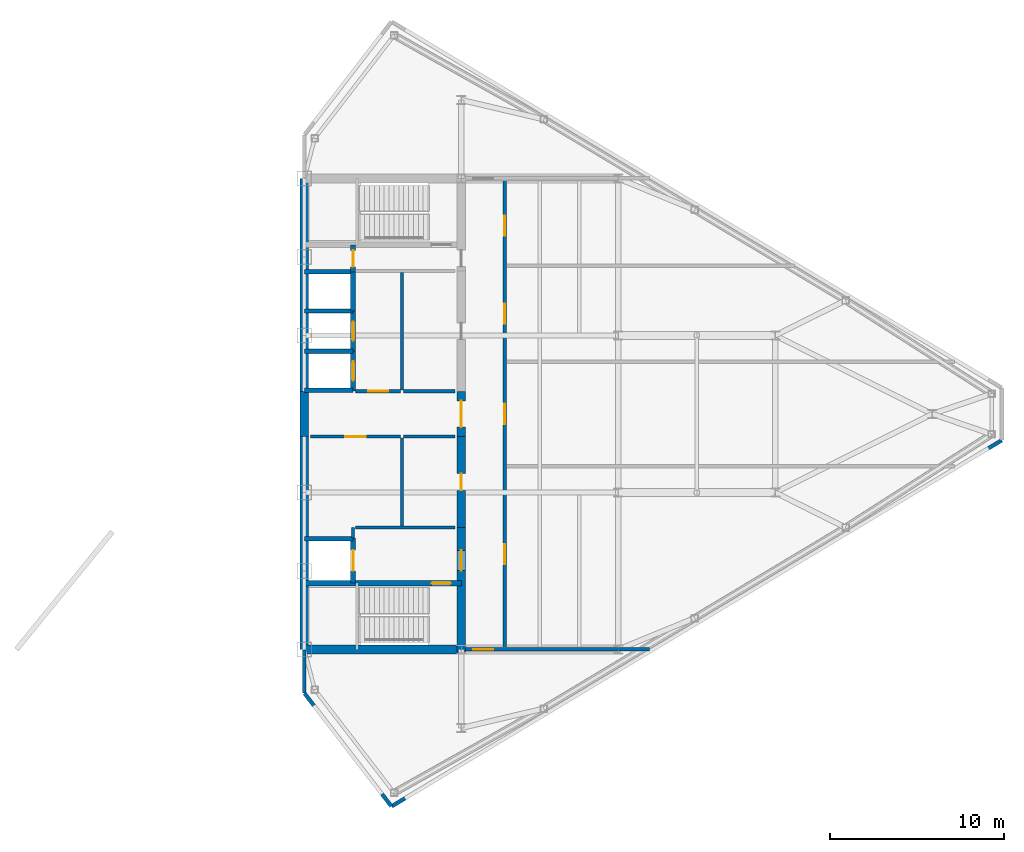
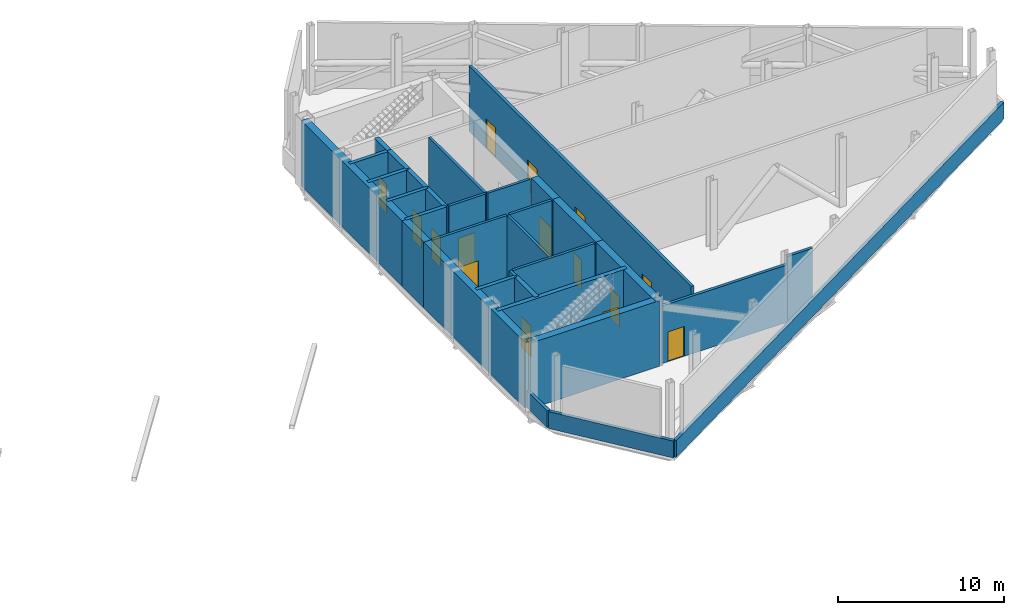
# One storey, part 10 of 13: 32 walls, 15 doors, 15 openings.
"""IFC4 building model written with IfcOpenShell, lengths in metres."""

from ifc_helpers import new_model, si_unit, direction, frame, frame_2d, origin, place, context, subcontext, project, spatial, rectangle, extrude, source, transform, mapped, material, layer, layer_set, type_object, type_shapes, element, fill, save


model = new_model("IFC4")

# Units and contexts
model_context = context("Model", 3, precision=1e-05, world=origin(), true_north=direction((0.0, 1.0)))
body_context = subcontext(model_context, "Body", "Model", "MODEL_VIEW")
ifc_project = project(units=[si_unit("LENGTHUNIT", "METRE"), si_unit("AREAUNIT", "SQUARE_METRE"), si_unit("VOLUMEUNIT", "CUBIC_METRE"), si_unit("PLANEANGLEUNIT", "RADIAN"), si_unit("MASSUNIT", "GRAM", prefix="KILO")], contexts=[model_context])

# Site, building, storey
site_placement = place(None, origin())
site = spatial("IfcSite", under=ifc_project, at=site_placement, CompositionType="ELEMENT")
building_placement = place(site_placement, origin())
building = spatial("IfcBuilding", under=site, at=building_placement, Name="Seokmaru Belvedere", CompositionType="ELEMENT")
storey_placement = place(building_placement, frame((0.0, 0.0, 224.699951171875)))
storey = spatial("IfcBuildingStorey", under=building, at=storey_placement, Name="L60", CompositionType="ELEMENT", Elevation=224.699951171875)

# Walls
ifc_material_1 = material(Name="Fire-Rated Gypsum Shaftwall")
ifc_layer_1 = layer(ifc_material_1, 0.179931640625)
ifc_layer_set_1 = layer_set([ifc_layer_1], Name="Fire-Rated Gypsum Shaftwall")
wall_type_1 = type_object("IfcWallType", Name="Core Service Fire Partition 180", PredefinedType="PARTITIONING", material=ifc_layer_set_1)
wall_1_placement = place(storey_placement, frame((30.449951171875, -6.5, 0.0), z_axis=(0.0, 0.0, 1.0), x_axis=(1.0, 0.0, 0.0)))
element("IfcWall", 1, at=wall_1_placement, inside=storey, type_object=wall_type_1, Name="L60 East Firefighting Lobby Partition", PredefinedType="PARTITIONING", context=body_context, shape_type="SweptSolid", body=[
    extrude(rectangle(XDim=5.699951171875, YDim=0.179931640625, at=frame_2d((2.85009765625, 0.0))), origin(), (0.0, 0.0, 1.0), 4.840087890625),
])
wall_2_placement = place(storey_placement, frame((30.300048828125, -7.1201171875, 0.0), z_axis=(0.0, 0.0, 1.0), x_axis=(0.0, 1.0, 0.0)))
element("IfcWall", 2, at=wall_2_placement, inside=storey, type_object=wall_type_1, Name="L60 East Firefighting Lobby East Closure Wall", PredefinedType="PARTITIONING", context=body_context, shape_type="SweptSolid", body=[
    extrude(rectangle(XDim=0.6201171875, YDim=0.179931640625, at=frame_2d((0.31005859375, 0.0))), origin(), (0.0, 0.0, 1.0), 4.840087890625),
])
wall_3_placement = place(storey_placement, frame((33.10009765625, -6.419921875, 0.0), z_axis=(0.0, 0.0, 1.0), x_axis=(0.0, 1.0, 0.0)))
element("IfcWall", 3, at=wall_3_placement, inside=storey, type_object=wall_type_1, Name="L60 East South Core Service Back Wall", PredefinedType="PARTITIONING", context=body_context, shape_type="SweptSolid", body=[
    extrude(rectangle(XDim=5.0400390625, YDim=0.179931640625, at=frame_2d((2.52001953125, 0.0))), origin(), (0.0, 0.0, 1.0), 4.840087890625),
])
wall_4_placement = place(storey_placement, frame((33.10009765625, 1.3798828125, 0.0), z_axis=(0.0, 0.0, 1.0), x_axis=(0.0, 1.0, 0.0)))
element("IfcWall", 4, at=wall_4_placement, inside=storey, type_object=wall_type_1, Name="L60 East North Core Service Back Wall", PredefinedType="PARTITIONING", context=body_context, shape_type="SweptSolid", body=[
    extrude(rectangle(XDim=6.740234375, YDim=0.179931640625, at=frame_2d((3.3701171875, 0.0))), origin(), (0.0, 0.0, 1.0), 4.840087890625),
])

# Wall, opening, door
wall_5_placement = place(storey_placement, frame((27.85009765625, -1.300048828125, 0.0), z_axis=(0.0, 0.0, 1.0), x_axis=(1.0, 0.0, 0.0)))
wall_5 = element("IfcWall", 5, at=wall_5_placement, inside=storey, type_object=wall_type_1, Name="L60 East South Lift Lobby Foyer Wall", PredefinedType="PARTITIONING", context=body_context, shape_type="SweptSolid", body=[
    extrude(rectangle(XDim=5.169921875, YDim=0.179931640625, at=frame_2d((2.5849609375, 0.0))), origin(), (0.0, 0.0, 1.0), 4.840087890625),
])
opening_1_placement = place(wall_5_placement, frame((2.010009765625, 0.0, 0.0)))
opening_1 = element("IfcOpeningElement", 6, at=opening_1_placement, cuts=wall_5, Name="Opening D02", PredefinedType="OPENING", context=body_context, shape_type="SweptSolid", body=[
    extrude(rectangle(XDim=1.14990234375, YDim=2.199951171875, at=frame_2d((0.574951171875, 1.10009765625))), frame((0.0, 0.10009765625, 0.0), z_axis=(0.0, -1.0, 0.0), x_axis=(1.0, 0.0, 0.0)), (0.0, 0.0, 1.0), 0.199951171875),
])
ifc_material_2 = material(Name="Fire-Rated Steel Leaf", Category="steel")
door_type_1 = type_object("IfcDoorType", Name="Lobby and Vestibule Fire Door 1150x2200", OperationType="NOTDEFINED", PredefinedType="DOOR", material=ifc_material_2)
shared_shape_1 = source(origin(), body_context, "Body", "SweptSolid", [
    extrude(rectangle(XDim=1.14990234375, YDim=2.199951171875, at=frame_2d((0.574951171875, 1.10009765625))), frame((0.0, 0.02490234375, 0.0), z_axis=(0.0, -1.0, 0.0), x_axis=(1.0, 0.0, 0.0)), (0.0, 0.0, 1.0), 0.050048828125),
])
type_shapes(door_type_1, [shared_shape_1])
door_1_placement = place(opening_1_placement, origin())
door_1 = element("IfcDoor", 7, at=door_1_placement, inside=storey, type_object=door_type_1, Name="L60 East South Core Foyer Door", OperationType="SINGLE_SWING_RIGHT", OverallHeight=2.199951171875, OverallWidth=1.14990234375, PredefinedType="DOOR", context=body_context, shape_type="MappedRepresentation", body=[
    mapped(shared_shape_1, transform((0.0, 0.0, 0.0), scale=1.0)),
])
fill(opening_1, door_1)

wall_6_placement = place(storey_placement, frame((30.449951171875, 1.300048828125, 0.0), z_axis=(0.0, 0.0, 1.0), x_axis=(1.0, 0.0, 0.0)))
wall_6 = element("IfcWall", 8, at=wall_6_placement, inside=storey, type_object=wall_type_1, Name="L60 East North Lift Lobby Foyer Wall", PredefinedType="PARTITIONING", context=body_context, shape_type="SweptSolid", body=[
    extrude(rectangle(XDim=2.570068359375, YDim=0.179931640625, at=frame_2d((1.28515625, 0.0))), origin(), (0.0, 0.0, 1.0), 4.840087890625),
])
opening_2_placement = place(wall_6_placement, frame((0.7099609375, 0.0, 0.0)))
opening_2 = element("IfcOpeningElement", 9, at=opening_2_placement, cuts=wall_6, Name="Opening D02", PredefinedType="OPENING", context=body_context, shape_type="SweptSolid", body=[
    extrude(rectangle(XDim=1.14990234375, YDim=2.199951171875, at=frame_2d((0.574951171875, 1.10009765625))), frame((0.0, 0.10009765625, 0.0), z_axis=(0.0, -1.0, 0.0), x_axis=(1.0, 0.0, 0.0)), (0.0, 0.0, 1.0), 0.199951171875),
])
door_2_placement = place(opening_2_placement, origin())
door_2 = element("IfcDoor", 10, at=door_2_placement, inside=storey, type_object=door_type_1, Name="L60 East North Lift Lobby Door", OperationType="SINGLE_SWING_LEFT", OverallHeight=2.199951171875, OverallWidth=1.14990234375, PredefinedType="DOOR", context=body_context, shape_type="MappedRepresentation", body=[
    mapped(shared_shape_1, transform((0.0, 0.0, 0.0), scale=1.0)),
])
fill(opening_2, door_2)

# Walls
for number, where, z_axis, x_axis, name in (
    (11, (33.199951171875, -1.300048828125, 0.0), (0.0, 0.0, 1.0), (1.0, 0.0, 0.0), "L60 East Foyer Side Wall S"),
    (12, (33.199951171875, 1.300048828125, 0.0), (0.0, 0.0, 1.0), (1.0, 0.0, 0.0), "L60 East Foyer Side Wall N"),
):
    element("IfcWall", number, at=place(storey_placement, frame(where, z_axis=z_axis, x_axis=x_axis)), inside=storey, type_object=wall_type_1, Name=name, PredefinedType="PARTITIONING", context=body_context, shape_type="SweptSolid", body=[
        extrude(rectangle(XDim=2.949951171875, YDim=0.179931640625, at=frame_2d((1.47509765625, 0.0))), origin(), (0.0, 0.0, 1.0), 4.840087890625),
    ])
ifc_material_3 = material(Name="Concrete C50 (50 MPa)", Category="concrete")
ifc_layer_2 = layer(ifc_material_3, 0.25)
ifc_layer_set_2 = layer_set([ifc_layer_2], Name="Concrete C50 (50 MPa)")
wall_type_2 = type_object("IfcWallType", Name="Hoistway Transverse Concrete Divider Wall 250", PredefinedType="SHEAR", material=ifc_layer_set_2)
for number, where, z_axis, x_axis, name in (
    (13, (27.5, -7.14990234375, 0.0), (0.0, 0.0, 1.0), (1.0, 0.0, 0.0), "L60 East Hoistway Divider Core Wall 1"),
    (14, (27.5, 1.35009765625, 0.0), (0.0, 0.0, 1.0), (1.0, 0.0, 0.0), "L60 East Hoistway Divider Core Wall 2"),
    (15, (27.5, 3.60009765625, 0.0), (0.0, 0.0, 1.0), (1.0, 0.0, 0.0), "L60 East Hoistway Divider Core Wall 3"),
    (16, (27.5, 5.89990234375, 0.0), (0.0, 0.0, 1.0), (1.0, 0.0, 0.0), "L60 East Hoistway Divider Core Wall 4"),
    (17, (27.5, 8.14990234375, 0.0), (0.0, 0.0, 1.0), (1.0, 0.0, 0.0), "L60 East Hoistway Divider Core Wall 5"),
):
    element("IfcWall", number, at=place(storey_placement, frame(where, z_axis=z_axis, x_axis=x_axis)), inside=storey, type_object=wall_type_2, Name=name, PredefinedType="SHEAR", context=body_context, shape_type="SweptSolid", body=[
        extrude(rectangle(XDim=2.800048828125, YDim=0.25, at=frame_2d((1.39990234375, 0.0))), origin(), (0.0, 0.0, 1.0), 4.840087890625),
    ])

# Wall, opening, door
ifc_layer_3 = layer(ifc_material_1, 0.199951171875)
ifc_layer_set_3 = layer_set([ifc_layer_3], Name="Fire-Rated Gypsum Shaftwall")
wall_type_3 = type_object("IfcWallType", Name="Inter-Tenancy Fire Compartment Partition 200", PredefinedType="PARTITIONING", material=ifc_layer_set_3)
wall_7_placement = place(storey_placement, frame((36.7548828125, -13.5, 0.0), z_axis=(0.0, 0.0, 1.0), x_axis=(1.0, 0.0, 0.0)))
wall_7 = element("IfcWall", 18, at=wall_7_placement, inside=storey, type_object=wall_type_3, Name="L60 Interior Partition 002", PredefinedType="PARTITIONING", context=body_context, shape_type="SweptSolid", body=[
    extrude(rectangle(XDim=8.76513671875, YDim=0.199951171875, at=frame_2d((4.382568359375, 0.0))), origin(), (0.0, 0.0, 1.0), 4.239990234375),
])
opening_3_placement = place(wall_7_placement, frame((0.419921875, 0.0, 0.0)))
opening_3 = element("IfcOpeningElement", 19, at=opening_3_placement, cuts=wall_7, Name="Opening D02", PredefinedType="OPENING", context=body_context, shape_type="SweptSolid", body=[
    extrude(rectangle(XDim=1.14990234375, YDim=2.199951171875, at=frame_2d((0.574951171875, 1.10009765625))), frame((0.0, 0.10986328125, 0.0), z_axis=(0.0, -1.0, 0.0), x_axis=(1.0, 0.0, 0.0)), (0.0, 0.0, 1.0), 0.219970703125),
])
door_3_placement = place(opening_3_placement, origin())
door_3 = element("IfcDoor", 20, at=door_3_placement, inside=storey, type_object=door_type_1, Name="L60 Interior Door 007", OperationType="SINGLE_SWING_RIGHT", OverallHeight=2.199951171875, OverallWidth=1.14990234375, PredefinedType="DOOR", context=body_context, shape_type="MappedRepresentation", body=[
    mapped(shared_shape_1, transform((0.0, 0.0, 0.0), scale=1.0)),
])
fill(opening_3, door_3)

# Wall
wall_8_placement = place(storey_placement, frame((45.52001953125, -13.5, 0.0), z_axis=(0.0, 0.0, 1.0), x_axis=(1.0, 0.0, 0.0)))
element("IfcWall", 21, at=wall_8_placement, inside=storey, type_object=wall_type_3, Name="L60 Interior Partition 002 Part 2", PredefinedType="PARTITIONING", context=body_context, shape_type="SweptSolid", body=[
    extrude(rectangle(XDim=1.756591796875, YDim=0.199951171875, at=frame_2d((0.87841796875, 0.0))), origin(), (0.0, 0.0, 1.0), 4.840087890625),
])

# Wall, openings, doors
wall_9_placement = place(storey_placement, frame((39.0, -13.4150390625, 0.0), z_axis=(0.0, 0.0, 1.0), x_axis=(0.0, 1.0, 0.0)))
wall_9 = element("IfcWall", 22, at=wall_9_placement, inside=storey, type_object=wall_type_3, Name="L60 Interior Partition 012", PredefinedType="PARTITIONING", context=body_context, shape_type="SweptSolid", body=[
    extrude(rectangle(XDim=26.830078125, YDim=0.199951171875, at=frame_2d((13.4150390625, 0.0))), origin(), (0.0, 0.0, 1.0), 4.840087890625),
])
opening_4_placement = place(wall_9_placement, frame((4.7900390625, 0.0, 0.0)))
opening_4 = element("IfcOpeningElement", 23, at=opening_4_placement, cuts=wall_9, Name="Opening D02", PredefinedType="OPENING", context=body_context, shape_type="SweptSolid", body=[
    extrude(rectangle(XDim=1.14990234375, YDim=2.199951171875, at=frame_2d((0.574951171875, 1.10009765625))), frame((0.0, 0.10986328125, 0.0), z_axis=(0.0, -1.0, 0.0), x_axis=(1.0, 0.0, 0.0)), (0.0, 0.0, 1.0), 0.219970703125),
])
opening_5_placement = place(wall_9_placement, frame((12.840087890625, 0.0, 0.0)))
opening_5 = element("IfcOpeningElement", 24, at=opening_5_placement, cuts=wall_9, Name="Opening D02", PredefinedType="OPENING", context=body_context, shape_type="SweptSolid", body=[
    extrude(rectangle(XDim=1.14990234375, YDim=2.199951171875, at=frame_2d((0.574951171875, 1.10009765625))), frame((0.0, 0.10986328125, 0.0), z_axis=(0.0, -1.0, 0.0), x_axis=(1.0, 0.0, 0.0)), (0.0, 0.0, 1.0), 0.219970703125),
])
opening_6_placement = place(wall_9_placement, frame((18.590087890625, 0.0, 0.0)))
opening_6 = element("IfcOpeningElement", 25, at=opening_6_placement, cuts=wall_9, Name="Opening D02", PredefinedType="OPENING", context=body_context, shape_type="SweptSolid", body=[
    extrude(rectangle(XDim=1.14990234375, YDim=2.199951171875, at=frame_2d((0.574951171875, 1.10009765625))), frame((0.0, 0.10986328125, 0.0), z_axis=(0.0, -1.0, 0.0), x_axis=(1.0, 0.0, 0.0)), (0.0, 0.0, 1.0), 0.219970703125),
])
opening_7_placement = place(wall_9_placement, frame((23.639892578125, 0.0, 0.0)))
opening_7 = element("IfcOpeningElement", 26, at=opening_7_placement, cuts=wall_9, Name="Opening D02", PredefinedType="OPENING", context=body_context, shape_type="SweptSolid", body=[
    extrude(rectangle(XDim=1.14990234375, YDim=2.199951171875, at=frame_2d((0.574951171875, 1.10009765625))), frame((0.0, 0.10986328125, 0.0), z_axis=(0.0, -1.0, 0.0), x_axis=(1.0, 0.0, 0.0)), (0.0, 0.0, 1.0), 0.219970703125),
])
door_4_placement = place(opening_4_placement, origin())
door_4 = element("IfcDoor", 27, at=door_4_placement, inside=storey, type_object=door_type_1, Name="L60 Interior Door 009", OperationType="SINGLE_SWING_RIGHT", OverallHeight=2.199951171875, OverallWidth=1.14990234375, PredefinedType="DOOR", context=body_context, shape_type="MappedRepresentation", body=[
    mapped(shared_shape_1, transform((0.0, 0.0, 0.0), scale=1.0)),
])
fill(opening_4, door_4)
door_5_placement = place(opening_5_placement, origin())
door_5 = element("IfcDoor", 28, at=door_5_placement, inside=storey, type_object=door_type_1, Name="L60 Interior Door 010", OperationType="SINGLE_SWING_LEFT", OverallHeight=2.199951171875, OverallWidth=1.14990234375, PredefinedType="DOOR", context=body_context, shape_type="MappedRepresentation", body=[
    mapped(shared_shape_1, transform((0.0, 0.0, 0.0), scale=1.0)),
])
fill(opening_5, door_5)
door_6_placement = place(opening_6_placement, origin())
door_6 = element("IfcDoor", 29, at=door_6_placement, inside=storey, type_object=door_type_1, Name="L60 Interior Door 011", OperationType="SINGLE_SWING_RIGHT", OverallHeight=2.199951171875, OverallWidth=1.14990234375, PredefinedType="DOOR", context=body_context, shape_type="MappedRepresentation", body=[
    mapped(shared_shape_1, transform((0.0, 0.0, 0.0), scale=1.0)),
])
fill(opening_6, door_6)
door_7_placement = place(opening_7_placement, origin())
door_7 = element("IfcDoor", 30, at=door_7_placement, inside=storey, type_object=door_type_1, Name="L60 Interior Door 012", OperationType="SINGLE_SWING_LEFT", OverallHeight=2.199951171875, OverallWidth=1.14990234375, PredefinedType="DOOR", context=body_context, shape_type="MappedRepresentation", body=[
    mapped(shared_shape_1, transform((0.0, 0.0, 0.0), scale=1.0)),
])
fill(opening_7, door_7)

# Wall, opening, door
ifc_layer_4 = layer(ifc_material_3, 0.300048828125)
ifc_layer_set_4 = layer_set([ifc_layer_4], Name="Concrete C50 (50 MPa)")
wall_type_4 = type_object("IfcWallType", Name="Internal Core Stair and Hoistway Wall 300", PredefinedType="SHEAR", material=ifc_layer_set_4)
wall_10_placement = place(storey_placement, frame((27.5, -9.699951171875, 0.0), z_axis=(0.0, 0.0, 1.0), x_axis=(1.0, 0.0, 0.0)))
wall_10 = element("IfcWall", 31, at=wall_10_placement, inside=storey, type_object=wall_type_4, Name="L60 East Stair ST-1 Enclosure Wall", PredefinedType="SHEAR", context=body_context, shape_type="SweptSolid", body=[
    extrude(rectangle(XDim=9.0, YDim=0.300048828125, at=frame_2d((4.5, 0.0))), origin(), (0.0, 0.0, 1.0), 4.840087890625),
])
opening_8_placement = place(wall_10_placement, frame((7.300048828125, 0.0, 0.0)))
opening_8 = element("IfcOpeningElement", 32, at=opening_8_placement, cuts=wall_10, Name="Opening D01", PredefinedType="OPENING", context=body_context, shape_type="SweptSolid", body=[
    extrude(rectangle(XDim=1.10009765625, YDim=2.199951171875, at=frame_2d((0.550048828125, 1.10009765625))), frame((0.0, 0.16015625, 0.0), z_axis=(0.0, -1.0, 0.0), x_axis=(1.0, 0.0, 0.0)), (0.0, 0.0, 1.0), 0.320068359375),
])
door_type_2 = type_object("IfcDoorType", Name="Special Escape Stair Smokeproof Fire Door 1100x2200", OperationType="NOTDEFINED", PredefinedType="DOOR", material=ifc_material_2)
shared_shape_2 = source(origin(), body_context, "Body", "SweptSolid", [
    extrude(rectangle(XDim=1.10009765625, YDim=2.199951171875, at=frame_2d((0.550048828125, 1.10009765625))), frame((0.0, 0.02490234375, 0.0), z_axis=(0.0, -1.0, 0.0), x_axis=(1.0, 0.0, 0.0)), (0.0, 0.0, 1.0), 0.050048828125),
])
type_shapes(door_type_2, [shared_shape_2])
door_8_placement = place(opening_8_placement, frame((1.10009765625, 0.0, 0.0), z_axis=(0.0, 0.0, 1.0), x_axis=(-1.0, 0.0, 0.0)))
door_8 = element("IfcDoor", 33, at=door_8_placement, inside=storey, type_object=door_type_2, Name="L60 East Special Escape Stair ST-1 Door", OperationType="SINGLE_SWING_RIGHT", OverallHeight=2.199951171875, OverallWidth=1.10009765625, PredefinedType="DOOR", context=body_context, shape_type="MappedRepresentation", body=[
    mapped(shared_shape_2, transform((0.0, 0.0, 0.0), scale=1.0)),
])
fill(opening_8, door_8)

wall_11_placement = place(storey_placement, frame((30.300048828125, -9.679931640625, 0.0), z_axis=(0.0, 0.0, 1.0), x_axis=(0.0, 1.0, 0.0)))
wall_11 = element("IfcWall", 34, at=wall_11_placement, inside=storey, type_object=wall_type_4, Name="L60 East Firefighting Lift Shaft Front Wall", PredefinedType="SHEAR", context=body_context, shape_type="SweptSolid", body=[
    extrude(rectangle(XDim=2.559814453125, YDim=0.300048828125, at=frame_2d((1.27978515625, 0.0))), origin(), (0.0, 0.0, 1.0), 4.840087890625),
])
opening_9_placement = place(wall_11_placement, frame((0.679931640625, 0.0, 0.0)))
opening_9 = element("IfcOpeningElement", 35, at=opening_9_placement, cuts=wall_11, Name="Opening LD2", PredefinedType="OPENING", context=body_context, shape_type="SweptSolid", body=[
    extrude(rectangle(XDim=1.199951171875, YDim=2.25, at=frame_2d((0.60009765625, 1.125))), frame((0.0, 0.16015625, 0.0), z_axis=(0.0, -1.0, 0.0), x_axis=(1.0, 0.0, 0.0)), (0.0, 0.0, 1.0), 0.320068359375),
])
ifc_material_4 = material(Name="Stainless Steel 316", Category="steel")
door_type_3 = type_object("IfcDoorType", Name="Firefighting Lift Sliding Landing Door 1200x2250", OperationType="DOUBLE_DOOR_SLIDING", PredefinedType="DOOR", material=ifc_material_4)
shared_shape_3 = source(origin(), body_context, "Body", "SweptSolid", [
    extrude(rectangle(XDim=1.199951171875, YDim=2.25, at=frame_2d((0.60009765625, 1.125))), frame((0.0, 0.02490234375, 0.0), z_axis=(0.0, -1.0, 0.0), x_axis=(1.0, 0.0, 0.0)), (0.0, 0.0, 1.0), 0.050048828125),
])
type_shapes(door_type_3, [shared_shape_3])
door_9_placement = place(opening_9_placement, origin())
door_9 = element("IfcDoor", 36, at=door_9_placement, inside=storey, type_object=door_type_3, Name="L60 East Firefighting Lift Landing Door", OperationType="DOUBLE_DOOR_SLIDING", OverallHeight=2.25, OverallWidth=1.199951171875, PredefinedType="DOOR", context=body_context, shape_type="MappedRepresentation", body=[
    mapped(shared_shape_3, transform((0.0, 0.0, 0.0), scale=1.0)),
])
fill(opening_9, door_9)

wall_12_placement = place(storey_placement, frame((30.300048828125, 1.320068359375, 0.0), z_axis=(0.0, 0.0, 1.0), x_axis=(0.0, 1.0, 0.0)))
wall_12 = element("IfcWall", 37, at=wall_12_placement, inside=storey, type_object=wall_type_4, Name="L60 East North Hoistway Wall PH1", PredefinedType="SHEAR", context=body_context, shape_type="SweptSolid", body=[
    extrude(rectangle(XDim=2.280029296875, YDim=0.300048828125, at=frame_2d((1.14013671875, 0.0))), origin(), (0.0, 0.0, 1.0), 4.840087890625),
])
opening_10_placement = place(wall_12_placement, frame((0.590087890625, 0.0, 0.0)))
opening_10 = element("IfcOpeningElement", 38, at=opening_10_placement, cuts=wall_12, Name="Opening LD1", PredefinedType="OPENING", context=body_context, shape_type="SweptSolid", body=[
    extrude(rectangle(XDim=1.10009765625, YDim=2.199951171875, at=frame_2d((0.550048828125, 1.10009765625))), frame((0.0, 0.16015625, 0.0), z_axis=(0.0, -1.0, 0.0), x_axis=(1.0, 0.0, 0.0)), (0.0, 0.0, 1.0), 0.320068359375),
])
door_type_4 = type_object("IfcDoorType", Name="Passenger Lift Sliding Landing Door 1100x2200", OperationType="DOUBLE_DOOR_SLIDING", PredefinedType="DOOR", material=ifc_material_4)
shared_shape_4 = source(origin(), body_context, "Body", "SweptSolid", [
    extrude(rectangle(XDim=1.10009765625, YDim=2.199951171875, at=frame_2d((0.550048828125, 1.10009765625))), frame((0.0, 0.02490234375, 0.0), z_axis=(0.0, -1.0, 0.0), x_axis=(1.0, 0.0, 0.0)), (0.0, 0.0, 1.0), 0.050048828125),
])
type_shapes(door_type_4, [shared_shape_4])
door_10_placement = place(opening_10_placement, origin())
door_10 = element("IfcDoor", 39, at=door_10_placement, inside=storey, type_object=door_type_4, Name="L60 East High-Rise Lift PH-1 Landing Door", OperationType="DOUBLE_DOOR_SLIDING", OverallHeight=2.199951171875, OverallWidth=1.10009765625, PredefinedType="DOOR", context=body_context, shape_type="MappedRepresentation", body=[
    mapped(shared_shape_4, transform((0.0, 0.0, 0.0), scale=1.0)),
])
fill(opening_10, door_10)

wall_13_placement = place(storey_placement, frame((30.300048828125, 3.60009765625, 0.0), z_axis=(0.0, 0.0, 1.0), x_axis=(0.0, 1.0, 0.0)))
wall_13 = element("IfcWall", 40, at=wall_13_placement, inside=storey, type_object=wall_type_4, Name="L60 East North Hoistway Wall PH2", PredefinedType="SHEAR", context=body_context, shape_type="SweptSolid", body=[
    extrude(rectangle(XDim=2.2998046875, YDim=0.300048828125, at=frame_2d((1.14990234375, 0.0))), origin(), (0.0, 0.0, 1.0), 4.840087890625),
])
opening_11_placement = place(wall_13_placement, frame((0.60009765625, 0.0, 0.0)))
opening_11 = element("IfcOpeningElement", 41, at=opening_11_placement, cuts=wall_13, Name="Opening LD1", PredefinedType="OPENING", context=body_context, shape_type="SweptSolid", body=[
    extrude(rectangle(XDim=1.10009765625, YDim=2.199951171875, at=frame_2d((0.550048828125, 1.10009765625))), frame((0.0, 0.16015625, 0.0), z_axis=(0.0, -1.0, 0.0), x_axis=(1.0, 0.0, 0.0)), (0.0, 0.0, 1.0), 0.320068359375),
])
door_11_placement = place(opening_11_placement, origin())
door_11 = element("IfcDoor", 42, at=door_11_placement, inside=storey, type_object=door_type_4, Name="L60 East High-Rise Lift PH-2 Landing Door", OperationType="DOUBLE_DOOR_SLIDING", OverallHeight=2.199951171875, OverallWidth=1.10009765625, PredefinedType="DOOR", context=body_context, shape_type="MappedRepresentation", body=[
    mapped(shared_shape_4, transform((0.0, 0.0, 0.0), scale=1.0)),
])
fill(opening_11, door_11)

# Wall
wall_14_placement = place(storey_placement, frame((30.300048828125, 5.89990234375, 0.0), z_axis=(0.0, 0.0, 1.0), x_axis=(0.0, 1.0, 0.0)))
element("IfcWall", 43, at=wall_14_placement, inside=storey, type_object=wall_type_4, Name="L60 East North Hoistway Wall OBS", PredefinedType="SHEAR", context=body_context, shape_type="SweptSolid", body=[
    extrude(rectangle(XDim=2.25, YDim=0.300048828125, at=frame_2d((1.125, 0.0))), origin(), (0.0, 0.0, 1.0), 4.840087890625),
])

# Wall, opening, door
wall_15_placement = place(storey_placement, frame((30.300048828125, 8.14990234375, 0.0), z_axis=(0.0, 0.0, 1.0), x_axis=(0.0, 1.0, 0.0)))
wall_15 = element("IfcWall", 44, at=wall_15_placement, inside=storey, type_object=wall_type_4, Name="L60 East Electrical Riser Front Wall", PredefinedType="SHEAR", context=body_context, shape_type="SweptSolid", body=[
    extrude(rectangle(XDim=1.530029296875, YDim=0.300048828125, at=frame_2d((0.76513671875, 0.0))), origin(), (0.0, 0.0, 1.0), 4.840087890625),
])
opening_12_placement = place(wall_15_placement, frame((0.284912109375, 0.0, 0.0)))
opening_12 = element("IfcOpeningElement", 45, at=opening_12_placement, cuts=wall_15, Name="Opening D04", PredefinedType="OPENING", context=body_context, shape_type="SweptSolid", body=[
    extrude(rectangle(XDim=0.949951171875, YDim=2.14990234375, at=frame_2d((0.47509765625, 1.074951171875))), frame((0.0, 0.16015625, 0.0), z_axis=(0.0, -1.0, 0.0), x_axis=(1.0, 0.0, 0.0)), (0.0, 0.0, 1.0), 0.320068359375),
])
door_type_5 = type_object("IfcDoorType", Name="Core Service Room Fire Door 950x2150", OperationType="NOTDEFINED", PredefinedType="DOOR", material=ifc_material_2)
shared_shape_5 = source(origin(), body_context, "Body", "SweptSolid", [
    extrude(rectangle(XDim=0.949951171875, YDim=2.14990234375, at=frame_2d((0.47509765625, 1.074951171875))), frame((0.0, 0.02490234375, 0.0), z_axis=(0.0, -1.0, 0.0), x_axis=(1.0, 0.0, 0.0)), (0.0, 0.0, 1.0), 0.050048828125),
])
type_shapes(door_type_5, [shared_shape_5])
door_12_placement = place(opening_12_placement, origin())
door_12 = element("IfcDoor", 46, at=door_12_placement, inside=storey, type_object=door_type_5, Name="L60 East Electrical Riser Access Door", OperationType="SINGLE_SWING_RIGHT", OverallHeight=2.14990234375, OverallWidth=0.949951171875, PredefinedType="DOOR", context=body_context, shape_type="MappedRepresentation", body=[
    mapped(shared_shape_5, transform((0.0, 0.0, 0.0), scale=1.0)),
])
fill(opening_12, door_12)

# Walls
ifc_material_5 = material(Name="Concrete C40 (40 MPa)", Category="concrete")
ifc_layer_5 = layer(ifc_material_5, 0.219970703125)
ifc_layer_set_5 = layer_set([ifc_layer_5], Name="Concrete C40 (40 MPa)")
wall_type_5 = type_object("IfcWallType", Name="Refuge and Roof Concrete Parapet 220", PredefinedType="PARAPET", material=ifc_layer_set_5)
wall_16_placement = place(storey_placement, frame((32.51708984375, -22.48974609375, 0.0), z_axis=(0.0, 0.0, 1.0), x_axis=(0.857492925713, 0.514495755428, 0.0)))
element("IfcWall", 47, at=wall_16_placement, inside=storey, type_object=wall_type_5, Name="L60 E Refuge Perimeter Parapet 1", PredefinedType="PARAPET", context=body_context, shape_type="SweptSolid", body=[
    extrude(rectangle(XDim=40.77685546875, YDim=0.219970703125, at=frame_2d((20.388427734375, 0.0))), origin(), (0.0, 0.0, 1.0), 1.25),
])
wall_17_placement = place(storey_placement, frame((27.5, -15.97998046875, 0.0), z_axis=(0.0, 0.0, 1.0), x_axis=(0.0, 1.0, 0.0)))
element("IfcWall", 48, at=wall_17_placement, inside=storey, type_object=wall_type_5, Name="L60 E Refuge Spine Shoulder Parapet 1", PredefinedType="PARAPET", context=body_context, shape_type="SweptSolid", body=[
    extrude(rectangle(XDim=2.4599609375, YDim=0.219970703125, at=frame_2d((1.22998046875, 0.0))), origin(), (0.0, 0.0, 1.0), 1.25),
])
wall_18_placement = place(storey_placement, frame((27.51220703125, -16.015869140625, 0.0), z_axis=(0.0, 0.0, 1.0), x_axis=(0.60971076085, -0.792623989105, 0.0)))
element("IfcWall", 49, at=wall_18_placement, inside=storey, type_object=wall_type_5, Name="L60 E Refuge Perimeter Parapet 6", PredefinedType="PARAPET", context=body_context, shape_type="SweptSolid", body=[
    extrude(rectangle(XDim=8.16064453125, YDim=0.219970703125, at=frame_2d((4.080322265625, 0.0))), origin(), (0.0, 0.0, 1.0), 1.25),
])
ifc_layer_6 = layer(ifc_material_3, 0.5)
ifc_layer_set_6 = layer_set([ifc_layer_6], Name="Concrete C50 (50 MPa)")
wall_type_6 = type_object("IfcWallType", Name="Upper Tower Reinforced Concrete Core Wall 500", PredefinedType="SHEAR", material=ifc_layer_set_6)
for number, where, z_axis, x_axis, name in (
    (50, (27.5, -13.5, 0.0), (0.0, 0.0, 1.0), (0.0, 1.0, 0.0), "L60 East Portal Spine Core Wall South"),
    (51, (27.5, 1.300048828125, 0.0), (0.0, 0.0, 1.0), (0.0, 1.0, 0.0), "L60 East Portal Spine Core Wall North"),
):
    element("IfcWall", number, at=place(storey_placement, frame(where, z_axis=z_axis, x_axis=x_axis)), inside=storey, type_object=wall_type_6, Name=name, PredefinedType="SHEAR", context=body_context, shape_type="SweptSolid", body=[
        extrude(rectangle(XDim=12.199951171875, YDim=0.5, at=frame_2d((6.10009765625, 0.0))), origin(), (0.0, 0.0, 1.0), 4.840087890625),
    ])
wall_19_placement = place(storey_placement, frame((27.5, -1.300048828125, 0.0), z_axis=(0.0, 0.0, 1.0), x_axis=(0.0, 1.0, 0.0)))
element("IfcWall", 52, at=wall_19_placement, inside=storey, type_object=wall_type_6, Name="L60 East Portal Spine Core Wall Center", PredefinedType="SHEAR", context=body_context, shape_type="SweptSolid", body=[
    extrude(rectangle(XDim=2.60009765625, YDim=0.5, at=frame_2d((1.300048828125, 0.0))), origin(), (0.0, 0.0, 1.0), 4.840087890625),
])
wall_20_placement = place(storey_placement, frame((27.5, -13.5, 0.0), z_axis=(0.0, 0.0, 1.0), x_axis=(1.0, 0.0, 0.0)))
element("IfcWall", 53, at=wall_20_placement, inside=storey, type_object=wall_type_6, Name="L60 East South Core Wall", PredefinedType="SHEAR", context=body_context, shape_type="SweptSolid", body=[
    extrude(rectangle(XDim=9.0, YDim=0.5, at=frame_2d((4.5, 0.0))), origin(), (0.0, 0.0, 1.0), 4.840087890625),
])

# Wall, opening, door
wall_21_placement = place(storey_placement, frame((36.5, -13.64990234375, 0.0), z_axis=(0.0, 0.0, 1.0), x_axis=(0.0, 1.0, 0.0)))
wall_21 = element("IfcWall", 54, at=wall_21_placement, inside=storey, type_object=wall_type_6, Name="L60 East West Core Wall FF", PredefinedType="SHEAR", context=body_context, shape_type="SweptSolid", body=[
    extrude(rectangle(XDim=7.14990234375, YDim=0.5, at=frame_2d((3.574951171875, 0.0))), origin(), (0.0, 0.0, 1.0), 4.840087890625),
])
opening_13_placement = place(wall_21_placement, frame((4.675048828125, 0.0, 0.0)))
opening_13 = element("IfcOpeningElement", 55, at=opening_13_placement, cuts=wall_21, Name="Opening D02", PredefinedType="OPENING", context=body_context, shape_type="SweptSolid", body=[
    extrude(rectangle(XDim=1.14990234375, YDim=2.199951171875, at=frame_2d((0.574951171875, 1.10009765625))), frame((0.0, 0.260009765625, 0.0), z_axis=(0.0, -1.0, 0.0), x_axis=(1.0, 0.0, 0.0)), (0.0, 0.0, 1.0), 0.52001953125),
])
door_13_placement = place(opening_13_placement, origin())
door_13 = element("IfcDoor", 56, at=door_13_placement, inside=storey, type_object=door_type_1, Name="L60 East Firefighting Lobby Door", OperationType="SINGLE_SWING_RIGHT", OverallHeight=2.199951171875, OverallWidth=1.14990234375, PredefinedType="DOOR", context=body_context, shape_type="MappedRepresentation", body=[
    mapped(shared_shape_1, transform((0.0, 0.0, 0.0), scale=1.0)),
])
fill(opening_13, door_13)

wall_22_placement = place(storey_placement, frame((36.5, -1.300048828125, 0.0), z_axis=(0.0, 0.0, 1.0), x_axis=(0.0, 1.0, 0.0)))
wall_22 = element("IfcWall", 57, at=wall_22_placement, inside=storey, type_object=wall_type_6, Name="L60 East West Core Wall FOY", PredefinedType="SHEAR", context=body_context, shape_type="SweptSolid", body=[
    extrude(rectangle(XDim=2.60009765625, YDim=0.5, at=frame_2d((1.300048828125, 0.0))), origin(), (0.0, 0.0, 1.0), 4.840087890625),
])
opening_14_placement = place(wall_22_placement, frame((0.550048828125, 0.0, 0.0)))
opening_14 = element("IfcOpeningElement", 58, at=opening_14_placement, cuts=wall_22, Name="Opening D08", PredefinedType="OPENING", context=body_context, shape_type="SweptSolid", body=[
    extrude(rectangle(XDim=1.5, YDim=2.300048828125, at=frame_2d((0.75, 1.14990234375))), frame((0.0, 0.260009765625, 0.0), z_axis=(0.0, -1.0, 0.0), x_axis=(1.0, 0.0, 0.0)), (0.0, 0.0, 1.0), 0.52001953125),
])
door_type_6 = type_object("IfcDoorType", Name="Cross-Corridor Compartment Double Fire Door 1500x2300", OperationType="DOUBLE_SWING_LEFT", PredefinedType="DOOR", material=ifc_material_2)
shared_shape_6 = source(origin(), body_context, "Body", "SweptSolid", [
    extrude(rectangle(XDim=1.5, YDim=2.300048828125, at=frame_2d((0.75, 1.14990234375))), frame((0.0, 0.02490234375, 0.0), z_axis=(0.0, -1.0, 0.0), x_axis=(1.0, 0.0, 0.0)), (0.0, 0.0, 1.0), 0.050048828125),
])
type_shapes(door_type_6, [shared_shape_6])
door_14_placement = place(opening_14_placement, origin())
door_14 = element("IfcDoor", 59, at=door_14_placement, inside=storey, type_object=door_type_6, Name="L60 East Core Foyer Compartment Door", OperationType="DOUBLE_SWING_LEFT", OverallHeight=2.300048828125, OverallWidth=1.5, PredefinedType="DOOR", context=body_context, shape_type="MappedRepresentation", body=[
    mapped(shared_shape_6, transform((0.0, 0.0, 0.0), scale=1.0)),
])
fill(opening_14, door_14)

wall_23_placement = place(storey_placement, frame((36.5, -6.5, 0.0), z_axis=(0.0, 0.0, 1.0), x_axis=(0.0, 1.0, 0.0)))
wall_23 = element("IfcWall", 60, at=wall_23_placement, inside=storey, type_object=wall_type_6, Name="L60 East West Core Wall CS1", PredefinedType="SHEAR", context=body_context, shape_type="SweptSolid", body=[
    extrude(rectangle(XDim=5.199951171875, YDim=0.5, at=frame_2d((2.60009765625, 0.0))), origin(), (0.0, 0.0, 1.0), 4.840087890625),
])
opening_15_placement = place(wall_23_placement, frame((2.125, 0.0, 0.0)))
opening_15 = element("IfcOpeningElement", 61, at=opening_15_placement, cuts=wall_23, Name="Opening D04", PredefinedType="OPENING", context=body_context, shape_type="SweptSolid", body=[
    extrude(rectangle(XDim=0.949951171875, YDim=2.14990234375, at=frame_2d((0.47509765625, 1.074951171875))), frame((0.0, 0.260009765625, 0.0), z_axis=(0.0, -1.0, 0.0), x_axis=(1.0, 0.0, 0.0)), (0.0, 0.0, 1.0), 0.52001953125),
])
door_15_placement = place(opening_15_placement, origin())
door_15 = element("IfcDoor", 62, at=door_15_placement, inside=storey, type_object=door_type_5, Name="L60 East Core Service Room Door 1", OperationType="SINGLE_SWING_RIGHT", OverallHeight=2.14990234375, OverallWidth=0.949951171875, PredefinedType="DOOR", context=body_context, shape_type="MappedRepresentation", body=[
    mapped(shared_shape_5, transform((0.0, 0.0, 0.0), scale=1.0)),
])
fill(opening_15, door_15)

save(model, "model.ifc")
